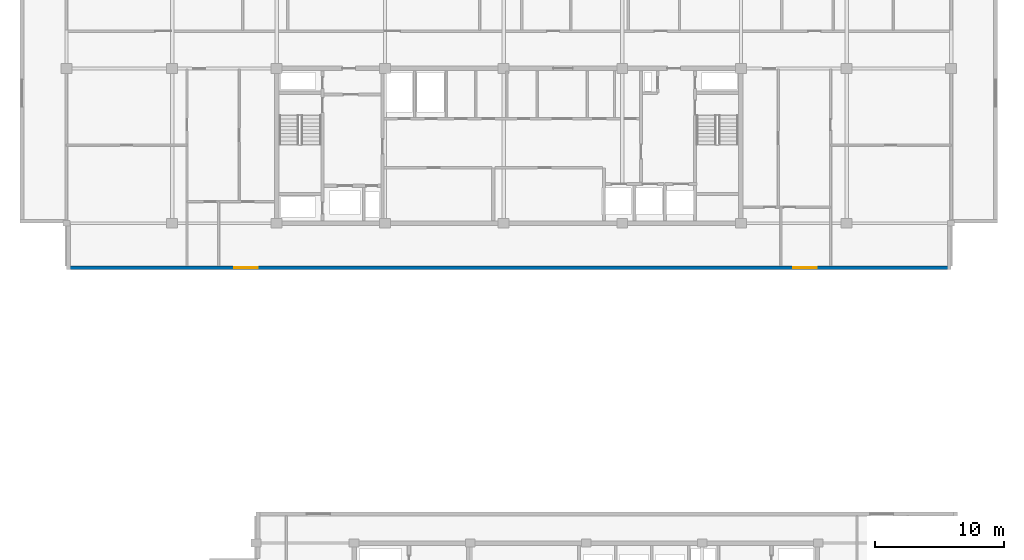
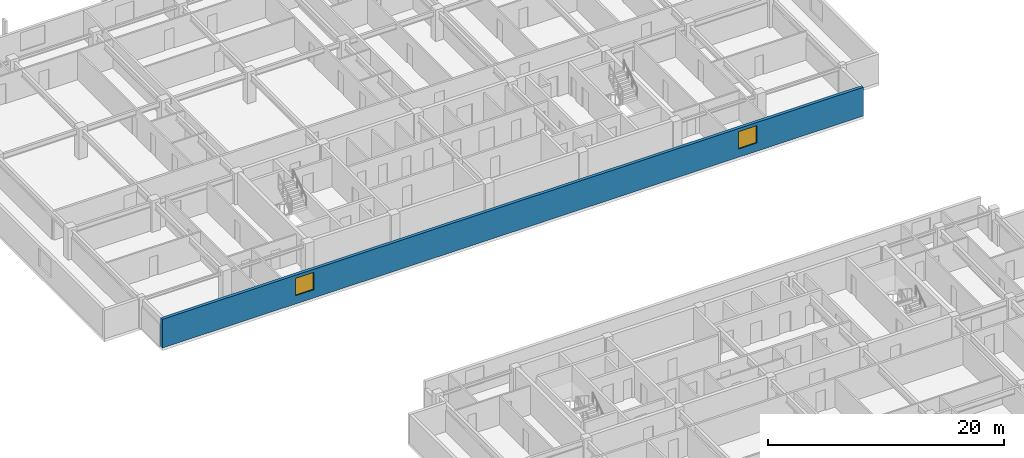
# One storey, part 9 of 22: 2 windows, 1 wall, 2 openings.
"""IFC4 building model written with IfcOpenShell, lengths in metres."""

from ifc_helpers import new_model, si_unit, direction, frame, frame_2d, origin, place, context, subcontext, project, spatial, rectangle, extrude, material, layer, layer_set, type_object, element, fill, save


model = new_model("IFC4")

# Units and contexts
model_context = context("Model", 3, precision=1e-05, world=origin(), true_north=direction((0.0, 1.0)))
body_context = subcontext(model_context, "Body", "Model", "MODEL_VIEW")
ifc_project = project(units=[si_unit("LENGTHUNIT", "METRE"), si_unit("AREAUNIT", "SQUARE_METRE"), si_unit("VOLUMEUNIT", "CUBIC_METRE"), si_unit("PLANEANGLEUNIT", "RADIAN"), si_unit("MASSUNIT", "GRAM", prefix="KILO")], contexts=[model_context])

# Site, building, storey
site_placement = place(None, origin())
site = spatial("IfcSite", under=ifc_project, at=site_placement, CompositionType="ELEMENT")
building_placement = place(site_placement, origin())
building = spatial("IfcBuilding", under=site, at=building_placement, Name="Korimba Cascade Residences", CompositionType="ELEMENT")
storey_placement = place(building_placement, frame((0.0, 0.0, 181.60009765625)))
storey = spatial("IfcBuildingStorey", under=building, at=storey_placement, Name="L52", CompositionType="ELEMENT", Elevation=181.60009765625)

# Wall, openings, windows
ifc_material_1 = material(Name="Precast concrete C40/50", Category="concrete")
ifc_layer = layer(ifc_material_1, 0.300048828125)
ifc_layer_set = layer_set([ifc_layer], Name="Precast concrete C40/50")
wall_type = type_object("IfcWallType", Name="EW-STONE-300", PredefinedType="STANDARD", material=ifc_layer_set)
wall_placement = place(storey_placement, frame((59.800048828125, 51.75, 0.0), z_axis=(0.0, 0.0, 1.0), x_axis=(1.0, 0.0, 0.0)))
wall = element("IfcWall", 1, at=wall_placement, inside=storey, type_object=wall_type, Name="L52 T1 Perimeter Stone Wall E00", PredefinedType="STANDARD", context=body_context, shape_type="SweptSolid", body=[
    extrude(rectangle(XDim=68.599853515625, YDim=0.300048828125, at=frame_2d((34.2998046875, 0.0))), origin(), (0.0, 0.0, 1.0), 2.969970703125),
])
opening_1_placement = place(wall_placement, frame((13.02490234375, 0.0, 0.85009765625)))
opening_1 = element("IfcOpeningElement", 2, at=opening_1_placement, cuts=wall, Name="Opening W-02", PredefinedType="OPENING", context=body_context, shape_type="SweptSolid", body=[
    extrude(rectangle(XDim=1.800048828125, YDim=1.800048828125, at=frame_2d((0.89990234375, 0.89990234375))), frame((0.0, 0.16015625, 0.0), z_axis=(0.0, -1.0, 0.0), x_axis=(1.0, 0.0, 0.0)), (0.0, 0.0, 1.0), 0.320068359375),
])
opening_2_placement = place(wall_placement, frame((56.375, 0.0, 0.85009765625)))
opening_2 = element("IfcOpeningElement", 3, at=opening_2_placement, cuts=wall, Name="Opening W-02", PredefinedType="OPENING", context=body_context, shape_type="SweptSolid", body=[
    extrude(rectangle(XDim=1.800048828125, YDim=1.800048828125, at=frame_2d((0.89990234375, 0.89990234375))), frame((0.0, 0.16015625, 0.0), z_axis=(0.0, -1.0, 0.0), x_axis=(1.0, 0.0, 0.0)), (0.0, 0.0, 1.0), 0.320068359375),
])
ifc_material_2 = material(Name="Double-Glazed Aluminium Window", Category="aluminium")
window_type = type_object("IfcWindowType", Name="WIN-BED-1800", PartitioningType="SINGLE_PANEL", PredefinedType="WINDOW", material=ifc_material_2)
window_1_placement = place(opening_1_placement, origin())
window_1 = element("IfcWindow", 4, at=window_1_placement, inside=storey, type_object=window_type, Name="L52 T1 South Corner Bedroom Window 1", OverallHeight=1.800048828125, OverallWidth=1.800048828125, PartitioningType="SINGLE_PANEL", PredefinedType="WINDOW", context=body_context, shape_type="SweptSolid", body=[
    extrude(rectangle(XDim=1.800048828125, YDim=1.800048828125, at=frame_2d((0.89990234375, 0.89990234375))), frame((0.0, 0.030029296875, 0.0), z_axis=(0.0, -1.0, 0.0), x_axis=(1.0, 0.0, 0.0)), (0.0, 0.0, 1.0), 0.06005859375),
])
fill(opening_1, window_1)
window_2_placement = place(opening_2_placement, origin())
window_2 = element("IfcWindow", 5, at=window_2_placement, inside=storey, type_object=window_type, Name="L52 T1 South Corner Bedroom Window 2", OverallHeight=1.800048828125, OverallWidth=1.800048828125, PartitioningType="SINGLE_PANEL", PredefinedType="WINDOW", context=body_context, shape_type="SweptSolid", body=[
    extrude(rectangle(XDim=1.800048828125, YDim=1.800048828125, at=frame_2d((0.89990234375, 0.89990234375))), frame((0.0, 0.030029296875, 0.0), z_axis=(0.0, -1.0, 0.0), x_axis=(1.0, 0.0, 0.0)), (0.0, 0.0, 1.0), 0.06005859375),
])
fill(opening_2, window_2)

save(model, "model.ifc")
